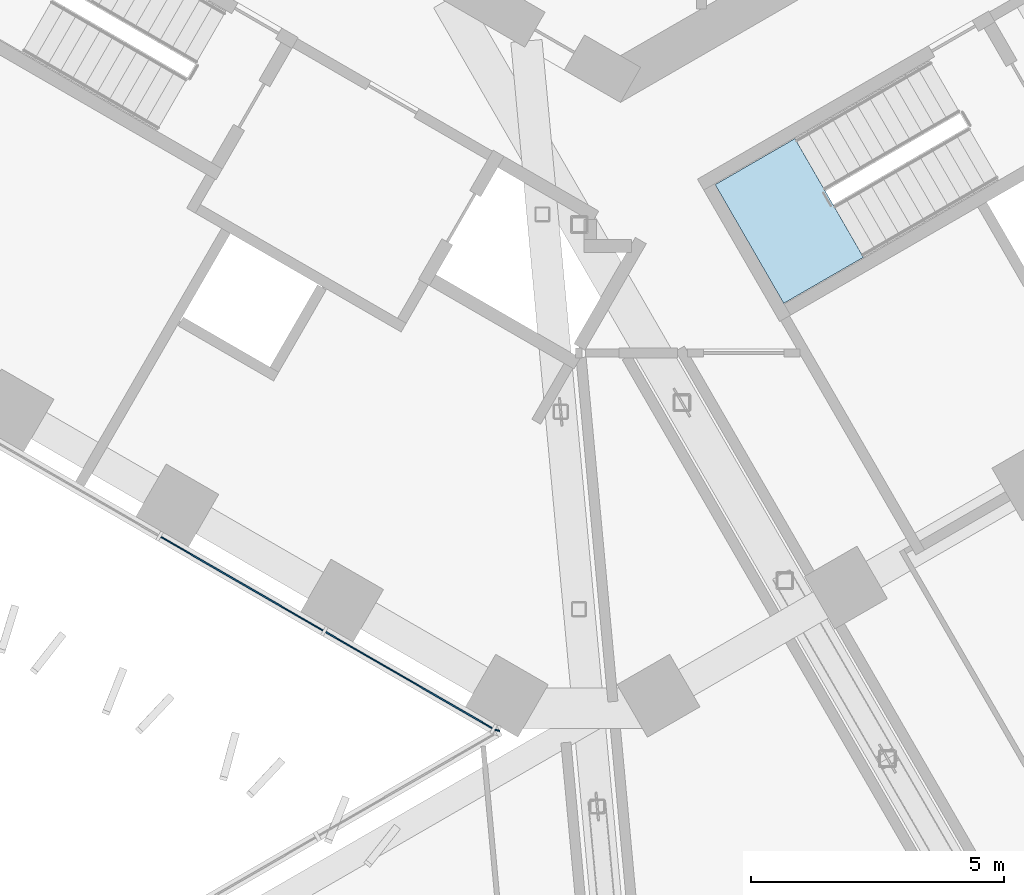
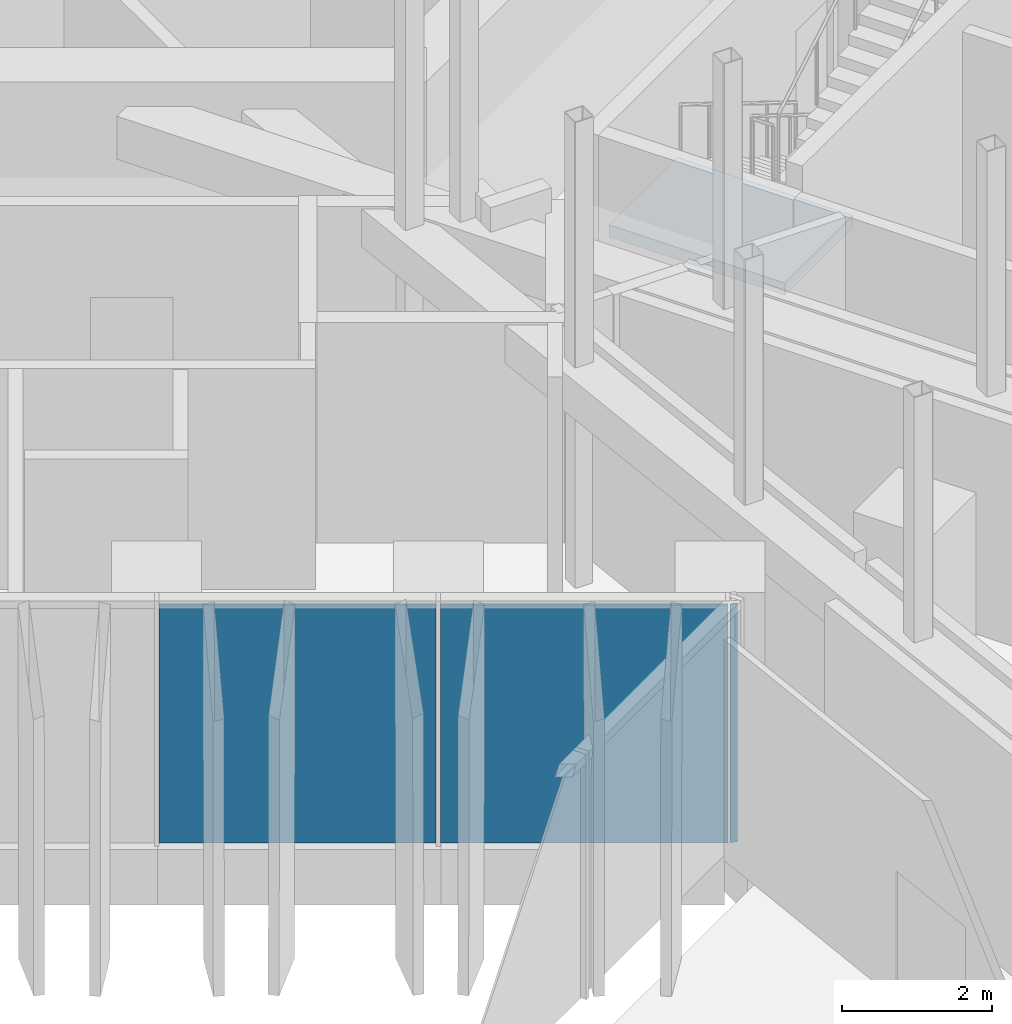
# One storey, part 14 of 29: 3 plates, 1 slab, 3 elements without a shape of their own.
"""IFC4 building model written with IfcOpenShell, lengths in metres."""

from ifc_helpers import new_model, si_unit, direction, frame, origin, origin_2d, place, context, subcontext, project, spatial, polyline, rectangle, outline, extrude, material, layer, layer_set, type_object, element, aggregate, save


model = new_model("IFC4")

# Units and contexts
model_context = context("Model", 3, precision=1e-05, world=origin(), true_north=direction((0.0, 1.0)))
body_context = subcontext(model_context, "Body", "Model", "MODEL_VIEW")
ifc_project = project(units=[si_unit("LENGTHUNIT", "METRE"), si_unit("AREAUNIT", "SQUARE_METRE"), si_unit("VOLUMEUNIT", "CUBIC_METRE"), si_unit("PLANEANGLEUNIT", "RADIAN"), si_unit("MASSUNIT", "GRAM", prefix="KILO")], contexts=[model_context])

# Site, building, storey
site_placement = place(None, origin())
site = spatial("IfcSite", under=ifc_project, at=site_placement, CompositionType="ELEMENT")
building_placement = place(site_placement, origin())
building = spatial("IfcBuilding", under=site, at=building_placement, Name="Ayvan Gate Tower", CompositionType="ELEMENT")
storey_placement = place(building_placement, frame((0.0, 0.0, 66.300048828125)))
storey = spatial("IfcBuildingStorey", under=building, at=storey_placement, Name="L17", CompositionType="ELEMENT", Elevation=66.300048828125)

# Stair, slab
ifc_material_1 = material(Name="Concrete C40/50", Category="concrete")
stair_type = type_object("IfcStairType", Name="ST-EXIT", PredefinedType="HALF_TURN_STAIR", material=ifc_material_1)
stair_placement = place(storey_placement, origin())
stair = element("IfcStair", 1, at=stair_placement, inside=storey, type_object=stair_type, Name="L17 Exit Stair S3", PredefinedType="HALF_TURN_STAIR")
ifc_layer_1 = layer(ifc_material_1, 0.199951171875)
ifc_layer_set_1 = layer_set([ifc_layer_1], Name="Concrete C40/50")
slab_type = type_object("IfcSlabType", Name="SL-LANDING-200", PredefinedType="LANDING", material=ifc_layer_set_1)
slab_placement = place(storey_placement, frame((0.0, 0.0, 1.800048828125)))
slab = element("IfcSlab", 2, at=slab_placement, type_object=slab_type, Name="STS3 landing 1", PredefinedType="LANDING", context=body_context, shape_type="SweptSolid", body=[
    extrude(outline(polyline([(3.449951171875, -11.685546875), (1.873779296875, -12.595458984375), (3.228759765625, -14.9423828125), (4.804931640625, -14.032470703125), (3.449951171875, -11.685546875)])), origin(), (0.0, 0.0, 1.0), 0.199951171875),
])
aggregate(stair, [slab])

# Curtain wall, plates
ifc_material_2 = material(Name="Bronze anodised aluminium", Category="aluminium")
ifc_layer_2 = layer(ifc_material_2, 0.199951171875)
ifc_layer_set_2 = layer_set([ifc_layer_2], Name="Bronze anodised aluminium")
curtain_wall_type_1 = type_object("IfcCurtainWallType", Name="Stick curtain wall CW-1", PredefinedType="NOTDEFINED", material=ifc_layer_set_2)
curtain_wall_1_placement = place(storey_placement, origin())
curtain_wall_1 = element("IfcCurtainWall", 3, at=curtain_wall_1_placement, inside=storey, type_object=curtain_wall_type_1, Name="Stick curtain wall CW-1 L17", PredefinedType="NOTDEFINED")
ifc_material_3 = material(Name="Clear low-iron laminated glass", Category="glass")
ifc_layer_3 = layer(ifc_material_3, 0.028076171875)
ifc_layer_set_3 = layer_set([ifc_layer_3], Name="Clear low-iron laminated glass")
plate_type_1 = type_object("IfcPlateType", Name="Stick curtain wall CW-1 glass panel", PredefinedType="CURTAIN_PANEL", material=ifc_layer_set_3)
plate_1_placement = place(storey_placement, frame((-7.484130859375, -20.4873046875, 0.0), z_axis=(0.0, 0.0, 1.0), x_axis=(0.866025403784, -0.5, 0.0)))
plate_1 = element("IfcPlate", 4, at=plate_1_placement, type_object=plate_type_1, Name="CW-1 glass panel 4", PredefinedType="CURTAIN_PANEL", context=body_context, shape_type="SweptSolid", body=[
    extrude(rectangle(XDim=3.701904296875, YDim=0.028076171875, at=origin_2d()), origin(), (0.0, 0.0, 1.0), 3.8798828125),
])
plate_2_placement = place(storey_placement, frame((-4.168701171875, -22.4013671875, 0.0), z_axis=(0.0, 0.0, 1.0), x_axis=(0.866025403784, -0.5, 0.0)))
plate_2 = element("IfcPlate", 5, at=plate_2_placement, type_object=plate_type_1, Name="CW-1 glass panel 5", PredefinedType="CURTAIN_PANEL", context=body_context, shape_type="SweptSolid", body=[
    extrude(rectangle(XDim=3.83447265625, YDim=0.028076171875, at=origin_2d()), origin(), (0.0, 0.0, 1.0), 3.8798828125),
])
aggregate(curtain_wall_1, [plate_1, plate_2])

# Curtain wall, plate
ifc_layer_4 = layer(ifc_material_2, 0.199951171875)
ifc_layer_set_4 = layer_set([ifc_layer_4], Name="Bronze anodised aluminium")
curtain_wall_type_2 = type_object("IfcCurtainWallType", Name="Stick curtain wall CW-6", PredefinedType="NOTDEFINED", material=ifc_layer_set_4)
curtain_wall_2_placement = place(storey_placement, origin())
curtain_wall_2 = element("IfcCurtainWall", 6, at=curtain_wall_2_placement, inside=storey, type_object=curtain_wall_type_2, Name="Stick curtain wall CW-6 L17", PredefinedType="NOTDEFINED")
ifc_layer_5 = layer(ifc_material_3, 0.028076171875)
ifc_layer_set_5 = layer_set([ifc_layer_5], Name="Clear low-iron laminated glass")
plate_type_2 = type_object("IfcPlateType", Name="Stick curtain wall CW-6 glass panel", PredefinedType="CURTAIN_PANEL", material=ifc_layer_set_5)
plate_3_placement = place(storey_placement, frame((-2.434326171875, -23.387939453125, 0.0), z_axis=(0.0, 0.0, 1.0), x_axis=(0.965925826289, -0.258819045103, 0.0)))
plate_3 = element("IfcPlate", 7, at=plate_3_placement, type_object=plate_type_2, Name="CW-6 glass panel 1", PredefinedType="CURTAIN_PANEL", context=body_context, shape_type="SweptSolid", body=[
    extrude(rectangle(XDim=0.099365234375, YDim=0.028076171875, at=origin_2d()), origin(), (0.0, 0.0, 1.0), 3.8798828125),
])
aggregate(curtain_wall_2, [plate_3])

save(model, "model.ifc")
